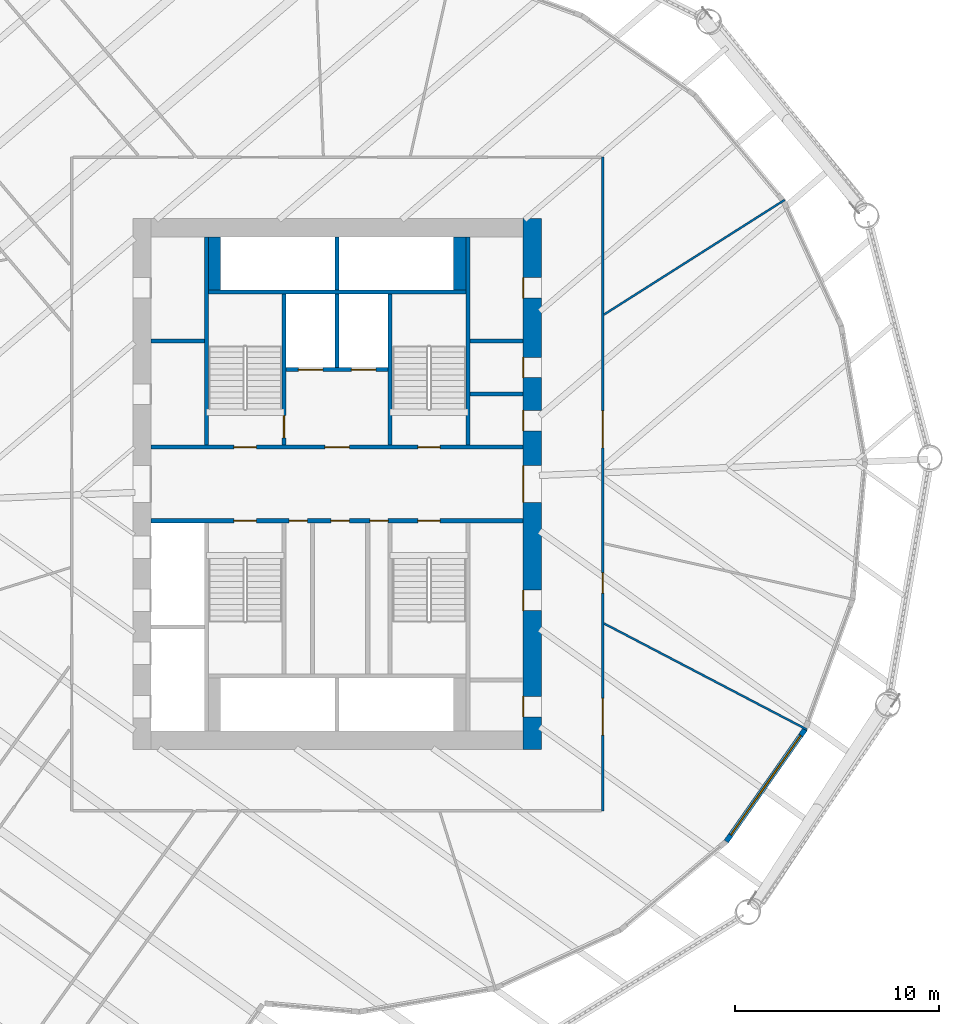
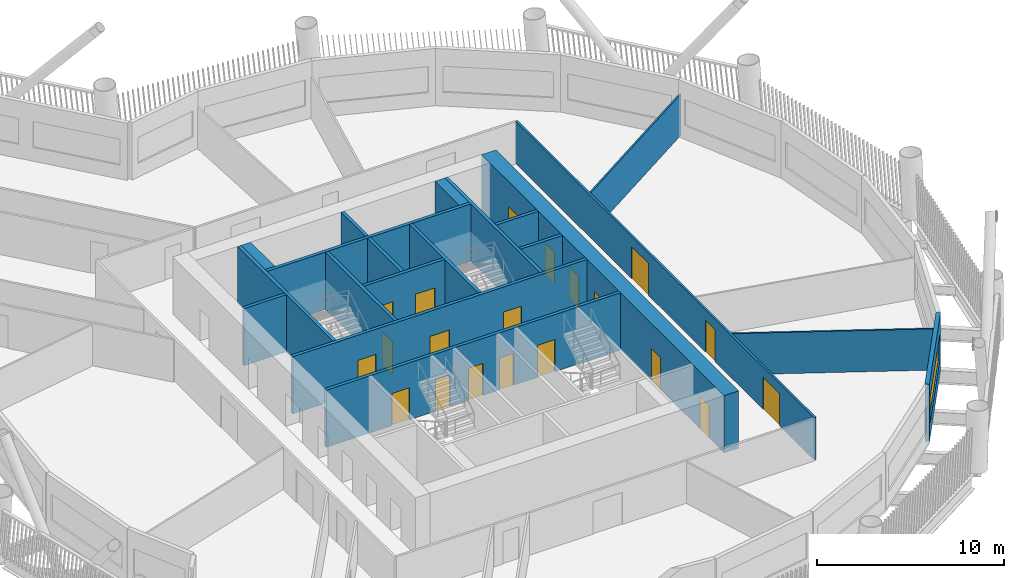
# One storey, part 5 of 21: 20 doors, 20 walls, 1 window, 21 openings.
"""IFC4 building model written with IfcOpenShell, lengths in metres."""

from ifc_helpers import new_model, si_unit, direction, frame, frame_2d, origin, place, context, subcontext, project, spatial, rectangle, extrude, material, layer, layer_set, type_object, element, fill, save


model = new_model("IFC4")

# Units and contexts
model_context = context("Model", 3, precision=1e-05, world=origin(), true_north=direction((0.0, 1.0)))
body_context = subcontext(model_context, "Body", "Model", "MODEL_VIEW")
ifc_project = project(units=[si_unit("LENGTHUNIT", "METRE"), si_unit("AREAUNIT", "SQUARE_METRE"), si_unit("VOLUMEUNIT", "CUBIC_METRE"), si_unit("PLANEANGLEUNIT", "RADIAN"), si_unit("MASSUNIT", "GRAM", prefix="KILO")], contexts=[model_context])

# Site, building, storey
site_placement = place(None, origin())
site = spatial("IfcSite", under=ifc_project, at=site_placement, CompositionType="ELEMENT")
building_placement = place(site_placement, origin())
building = spatial("IfcBuilding", under=site, at=building_placement, Name="Tarsis Ring Headquarters", CompositionType="ELEMENT")
storey_placement = place(building_placement, frame((0.0, 0.0, 47.800048828125)))
storey = spatial("IfcBuildingStorey", under=building, at=storey_placement, Name="L09", CompositionType="ELEMENT", Elevation=47.800048828125)

# Walls
ifc_material_1 = material(Name="Blockwork", Category="masonry")
ifc_layer_1 = layer(ifc_material_1, 0.199951171875)
ifc_layer_set_1 = layer_set([ifc_layer_1], Name="Core blockwork wall 200")
wall_type_1 = type_object("IfcWallType", Name="Core blockwork wall 200", PredefinedType="PARTITIONING", material=ifc_layer_set_1)
for number, where, z_axis, x_axis, name in (
    (1, (-9.10009765625, 7.0, 0.0), (0.0, 0.0, 1.0), (1.0, 0.0, 0.0), "Core partition WD6"),
    (2, (6.5, 4.39990234375, 0.0), (0.0, 0.0, 1.0), (1.0, 0.0, 0.0), "Core partition ED5"),
    (3, (6.5, 7.0, 0.0), (0.0, 0.0, 1.0), (1.0, 0.0, 0.0), "Core partition ED6"),
):
    element("IfcWall", number, at=place(storey_placement, frame(where, z_axis=z_axis, x_axis=x_axis)), inside=storey, type_object=wall_type_1, Name=name, PredefinedType="PARTITIONING", context=body_context, shape_type="SweptSolid", body=[
        extrude(rectangle(XDim=2.60009765625, YDim=0.199951171875, at=frame_2d((1.300048828125, 0.0))), origin(), (0.0, 0.0, 1.0), 3.739990234375),
    ])

# Wall, openings, doors
ifc_material_2 = material(Name="Concrete C60/75", Category="concrete")
ifc_layer_2 = layer(ifc_material_2, 0.89990234375)
ifc_layer_set_2 = layer_set([ifc_layer_2], Name="Core wall 900 C60/75")
wall_type_2 = type_object("IfcWallType", Name="Core wall 900 C60/75", PredefinedType="SHEAR", material=ifc_layer_set_2)
wall_1_placement = place(storey_placement, frame((9.550048828125, -13.0, 0.0), z_axis=(0.0, 0.0, 1.0), x_axis=(0.0, 1.0, 0.0)))
wall_1 = element("IfcWall", 4, at=wall_1_placement, inside=storey, type_object=wall_type_2, Name="Core wall OE", PredefinedType="SHEAR", context=body_context, shape_type="SweptSolid", body=[
    extrude(rectangle(XDim=26.0, YDim=0.89990234375, at=frame_2d((13.0, 0.0))), origin(), (0.0, 0.0, 1.0), 3.739990234375),
])
opening_1_placement = place(wall_1_placement, frame((1.60009765625, 0.0, 0.0)))
opening_1 = element("IfcOpeningElement", 5, at=opening_1_placement, cuts=wall_1, Name="Opening L09-C08", PredefinedType="OPENING", context=body_context, shape_type="SweptSolid", body=[
    extrude(rectangle(XDim=1.0, YDim=2.10009765625, at=frame_2d((0.5, 1.050048828125))), frame((0.0, 0.4599609375, 0.0), z_axis=(0.0, -1.0, 0.0), x_axis=(1.0, 0.0, 0.0)), (0.0, 0.0, 1.0), 0.919921875),
])
opening_2_placement = place(wall_1_placement, frame((6.800048828125, 0.0, 0.0)))
opening_2 = element("IfcOpeningElement", 6, at=opening_2_placement, cuts=wall_1, Name="Opening L09-C09", PredefinedType="OPENING", context=body_context, shape_type="SweptSolid", body=[
    extrude(rectangle(XDim=1.0, YDim=2.10009765625, at=frame_2d((0.5, 1.050048828125))), frame((0.0, 0.4599609375, 0.0), z_axis=(0.0, -1.0, 0.0), x_axis=(1.0, 0.0, 0.0)), (0.0, 0.0, 1.0), 0.919921875),
])
opening_3_placement = place(wall_1_placement, frame((12.10009765625, 0.0, 0.0)))
opening_3 = element("IfcOpeningElement", 7, at=opening_3_placement, cuts=wall_1, Name="Opening L09-C10", PredefinedType="OPENING", context=body_context, shape_type="SweptSolid", body=[
    extrude(rectangle(XDim=1.800048828125, YDim=2.10009765625, at=frame_2d((0.89990234375, 1.050048828125))), frame((0.0, 0.4599609375, 0.0), z_axis=(0.0, -1.0, 0.0), x_axis=(1.0, 0.0, 0.0)), (0.0, 0.0, 1.0), 0.919921875),
])
opening_4_placement = place(wall_1_placement, frame((15.60009765625, 0.0, 0.0)))
opening_4 = element("IfcOpeningElement", 8, at=opening_4_placement, cuts=wall_1, Name="Opening L09-C11", PredefinedType="OPENING", context=body_context, shape_type="SweptSolid", body=[
    extrude(rectangle(XDim=1.0, YDim=2.10009765625, at=frame_2d((0.5, 1.050048828125))), frame((0.0, 0.4599609375, 0.0), z_axis=(0.0, -1.0, 0.0), x_axis=(1.0, 0.0, 0.0)), (0.0, 0.0, 1.0), 0.919921875),
])
opening_5_placement = place(wall_1_placement, frame((18.199951171875, 0.0, 0.0)))
opening_5 = element("IfcOpeningElement", 9, at=opening_5_placement, cuts=wall_1, Name="Opening L09-C12", PredefinedType="OPENING", context=body_context, shape_type="SweptSolid", body=[
    extrude(rectangle(XDim=1.0, YDim=2.10009765625, at=frame_2d((0.5, 1.050048828125))), frame((0.0, 0.4599609375, 0.0), z_axis=(0.0, -1.0, 0.0), x_axis=(1.0, 0.0, 0.0)), (0.0, 0.0, 1.0), 0.919921875),
])
opening_6_placement = place(wall_1_placement, frame((22.10009765625, 0.0, 0.0)))
opening_6 = element("IfcOpeningElement", 10, at=opening_6_placement, cuts=wall_1, Name="Opening L09-C13", PredefinedType="OPENING", context=body_context, shape_type="SweptSolid", body=[
    extrude(rectangle(XDim=1.0, YDim=2.10009765625, at=frame_2d((0.5, 1.050048828125))), frame((0.0, 0.4599609375, 0.0), z_axis=(0.0, -1.0, 0.0), x_axis=(1.0, 0.0, 0.0)), (0.0, 0.0, 1.0), 0.919921875),
])
ifc_material_3 = material(Name="Steel S355", Category="steel")
door_type_1 = type_object("IfcDoorType", Name="Core entry door 1800x2100", OperationType="DOUBLE_DOOR_SINGLE_SWING", PredefinedType="DOOR", material=ifc_material_3)
door_1_placement = place(opening_3_placement, origin())
door_1 = element("IfcDoor", 11, at=door_1_placement, inside=storey, type_object=door_type_1, Name="Core entry door L09", OperationType="DOUBLE_DOOR_SINGLE_SWING", OverallHeight=2.10009765625, OverallWidth=1.800048828125, PredefinedType="DOOR", context=body_context, shape_type="SweptSolid", body=[
    extrude(rectangle(XDim=1.800048828125, YDim=2.10009765625, at=frame_2d((0.89990234375, 1.050048828125))), frame((0.0, 0.4501953125, 0.0), z_axis=(0.0, -1.0, 0.0), x_axis=(1.0, 0.0, 0.0)), (0.0, 0.0, 1.0), 0.050048828125),
])
fill(opening_3, door_1)
door_type_2 = type_object("IfcDoorType", Name="Core room door 1000x2100", OperationType="SINGLE_SWING_LEFT", PredefinedType="DOOR", material=ifc_material_3)
door_2_placement = place(opening_1_placement, origin())
door_2 = element("IfcDoor", 12, at=door_2_placement, inside=storey, type_object=door_type_2, Name="Core room door L09", OperationType="SINGLE_SWING_LEFT", OverallHeight=2.10009765625, OverallWidth=1.0, PredefinedType="DOOR", context=body_context, shape_type="SweptSolid", body=[
    extrude(rectangle(XDim=1.0, YDim=2.10009765625, at=frame_2d((0.5, 1.050048828125))), frame((0.0, 0.4501953125, 0.0), z_axis=(0.0, -1.0, 0.0), x_axis=(1.0, 0.0, 0.0)), (0.0, 0.0, 1.0), 0.050048828125),
])
fill(opening_1, door_2)
door_3_placement = place(opening_2_placement, origin())
door_3 = element("IfcDoor", 13, at=door_3_placement, inside=storey, type_object=door_type_2, Name="Core room door L09", OperationType="SINGLE_SWING_LEFT", OverallHeight=2.10009765625, OverallWidth=1.0, PredefinedType="DOOR", context=body_context, shape_type="SweptSolid", body=[
    extrude(rectangle(XDim=1.0, YDim=2.10009765625, at=frame_2d((0.5, 1.050048828125))), frame((0.0, 0.4501953125, 0.0), z_axis=(0.0, -1.0, 0.0), x_axis=(1.0, 0.0, 0.0)), (0.0, 0.0, 1.0), 0.050048828125),
])
fill(opening_2, door_3)
door_4_placement = place(opening_4_placement, origin())
door_4 = element("IfcDoor", 14, at=door_4_placement, inside=storey, type_object=door_type_2, Name="Core room door L09", OperationType="SINGLE_SWING_LEFT", OverallHeight=2.10009765625, OverallWidth=1.0, PredefinedType="DOOR", context=body_context, shape_type="SweptSolid", body=[
    extrude(rectangle(XDim=1.0, YDim=2.10009765625, at=frame_2d((0.5, 1.050048828125))), frame((0.0, 0.4501953125, 0.0), z_axis=(0.0, -1.0, 0.0), x_axis=(1.0, 0.0, 0.0)), (0.0, 0.0, 1.0), 0.050048828125),
])
fill(opening_4, door_4)
door_5_placement = place(opening_5_placement, origin())
door_5 = element("IfcDoor", 15, at=door_5_placement, inside=storey, type_object=door_type_2, Name="Core room door L09", OperationType="SINGLE_SWING_LEFT", OverallHeight=2.10009765625, OverallWidth=1.0, PredefinedType="DOOR", context=body_context, shape_type="SweptSolid", body=[
    extrude(rectangle(XDim=1.0, YDim=2.10009765625, at=frame_2d((0.5, 1.050048828125))), frame((0.0, 0.4501953125, 0.0), z_axis=(0.0, -1.0, 0.0), x_axis=(1.0, 0.0, 0.0)), (0.0, 0.0, 1.0), 0.050048828125),
])
fill(opening_5, door_5)
door_6_placement = place(opening_6_placement, origin())
door_6 = element("IfcDoor", 16, at=door_6_placement, inside=storey, type_object=door_type_2, Name="Core room door L09", OperationType="SINGLE_SWING_LEFT", OverallHeight=2.10009765625, OverallWidth=1.0, PredefinedType="DOOR", context=body_context, shape_type="SweptSolid", body=[
    extrude(rectangle(XDim=1.0, YDim=2.10009765625, at=frame_2d((0.5, 1.050048828125))), frame((0.0, 0.4501953125, 0.0), z_axis=(0.0, -1.0, 0.0), x_axis=(1.0, 0.0, 0.0)), (0.0, 0.0, 1.0), 0.050048828125),
])
fill(opening_6, door_6)

# Walls
ifc_material_4 = material(Name="Gypsum board on steel studs", Category="steel")
ifc_layer_3 = layer(ifc_material_4, 0.10009765625)
ifc_layer_set_3 = layer_set([ifc_layer_3], Name="FL partition 100 unrated")
wall_type_3 = type_object("IfcWallType", Name="FL partition 100 unrated", PredefinedType="PARTITIONING", material=ifc_layer_set_3)
wall_2_placement = place(storey_placement, frame((13.079833984375, -6.837890625, 0.0), z_axis=(0.0, 0.0, 1.0), x_axis=(0.886203250473, -0.463296663976, 0.0)))
element("IfcWall", 17, at=wall_2_placement, inside=storey, type_object=wall_type_3, Name="Partition PW3", PredefinedType="PARTITIONING", context=body_context, shape_type="SweptSolid", body=[
    extrude(rectangle(XDim=11.1884765625, YDim=0.10009765625, at=frame_2d((5.59423828125, 0.0))), origin(), (0.0, 0.0, 1.0), 2.699951171875),
])
wall_3_placement = place(storey_placement, frame((13.075927734375, 8.29833984375, 0.0), z_axis=(0.0, 0.0, 1.0), x_axis=(0.84433063847, 0.535822520002, 0.0)))
element("IfcWall", 18, at=wall_3_placement, inside=storey, type_object=wall_type_3, Name="Partition PW3", PredefinedType="PARTITIONING", context=body_context, shape_type="SweptSolid", body=[
    extrude(rectangle(XDim=10.4609375, YDim=0.10009765625, at=frame_2d((5.23046875, 0.0))), origin(), (0.0, 0.0, 1.0), 2.699951171875),
])

# Wall, openings, doors
ifc_layer_4 = layer(ifc_material_4, 0.125)
ifc_layer_set_4 = layer_set([ifc_layer_4], Name="FL partition 125 EI 60 H2770")
wall_type_4 = type_object("IfcWallType", Name="FL partition 125 EI 60 H2770", PredefinedType="PARTITIONING", material=ifc_layer_set_4)
wall_4_placement = place(storey_placement, frame((13.0, -16.0, 0.0), z_axis=(0.0, 0.0, 1.0), x_axis=(0.0, 1.0, 0.0)))
wall_4 = element("IfcWall", 19, at=wall_4_placement, inside=storey, type_object=wall_type_4, Name="Partition PW1", PredefinedType="PARTITIONING", context=body_context, shape_type="SweptSolid", body=[
    extrude(rectangle(XDim=32.0, YDim=0.125, at=frame_2d((16.0, 0.0))), origin(), (0.0, 0.0, 1.0), 2.77001953125),
])
opening_7_placement = place(wall_4_placement, frame((17.772216796875, 0.0, 0.0)))
opening_7 = element("IfcOpeningElement", 20, at=opening_7_placement, cuts=wall_4, Name="Opening D09.06", PredefinedType="OPENING", context=body_context, shape_type="SweptSolid", body=[
    extrude(rectangle(XDim=1.800048828125, YDim=2.10009765625, at=frame_2d((0.89990234375, 1.050048828125))), frame((0.0, 0.072509765625, 0.0), z_axis=(0.0, -1.0, 0.0), x_axis=(1.0, 0.0, 0.0)), (0.0, 0.0, 1.0), 0.14501953125),
])
opening_8_placement = place(wall_4_placement, frame((10.64892578125, 0.0, 0.0)))
opening_8 = element("IfcOpeningElement", 21, at=opening_8_placement, cuts=wall_4, Name="Opening D09.07", PredefinedType="OPENING", context=body_context, shape_type="SweptSolid", body=[
    extrude(rectangle(XDim=1.0, YDim=2.10009765625, at=frame_2d((0.5, 1.050048828125))), frame((0.0, 0.072509765625, 0.0), z_axis=(0.0, -1.0, 0.0), x_axis=(1.0, 0.0, 0.0)), (0.0, 0.0, 1.0), 0.14501953125),
])
opening_9_placement = place(wall_4_placement, frame((3.701904296875, 0.0, 0.0)))
opening_9 = element("IfcOpeningElement", 22, at=opening_9_placement, cuts=wall_4, Name="Opening D09.08", PredefinedType="OPENING", context=body_context, shape_type="SweptSolid", body=[
    extrude(rectangle(XDim=1.800048828125, YDim=2.10009765625, at=frame_2d((0.89990234375, 1.050048828125))), frame((0.0, 0.072509765625, 0.0), z_axis=(0.0, -1.0, 0.0), x_axis=(1.0, 0.0, 0.0)), (0.0, 0.0, 1.0), 0.14501953125),
])
ifc_material_5 = material(Name="Fire-rated timber door leaf in steel frame", Category="steel")
door_type_3 = type_object("IfcDoorType", Name="FL door FD60-1000", OperationType="NOTDEFINED", PredefinedType="DOOR", material=ifc_material_5)
door_7_placement = place(opening_8_placement, origin())
door_7 = element("IfcDoor", 23, at=door_7_placement, inside=storey, type_object=door_type_3, Name="Door D09.07", OperationType="SINGLE_SWING_RIGHT", OverallHeight=2.10009765625, OverallWidth=1.0, PredefinedType="DOOR", context=body_context, shape_type="SweptSolid", body=[
    extrude(rectangle(XDim=1.0, YDim=2.10009765625, at=frame_2d((0.5, 1.050048828125))), frame((0.0, 0.02490234375, 0.0), z_axis=(0.0, -1.0, 0.0), x_axis=(1.0, 0.0, 0.0)), (0.0, 0.0, 1.0), 0.050048828125),
])
fill(opening_8, door_7)
door_type_4 = type_object("IfcDoorType", Name="FL door FD60-1800", OperationType="DOUBLE_DOOR_SINGLE_SWING", PredefinedType="DOOR", material=ifc_material_5)
door_8_placement = place(opening_7_placement, origin())
door_8 = element("IfcDoor", 24, at=door_8_placement, inside=storey, type_object=door_type_4, Name="Door D09.06", OperationType="DOUBLE_DOOR_SINGLE_SWING", OverallHeight=2.10009765625, OverallWidth=1.800048828125, PredefinedType="DOOR", context=body_context, shape_type="SweptSolid", body=[
    extrude(rectangle(XDim=1.800048828125, YDim=2.10009765625, at=frame_2d((0.89990234375, 1.050048828125))), frame((0.0, 0.02490234375, 0.0), z_axis=(0.0, -1.0, 0.0), x_axis=(1.0, 0.0, 0.0)), (0.0, 0.0, 1.0), 0.050048828125),
])
fill(opening_7, door_8)
door_9_placement = place(opening_9_placement, origin())
door_9 = element("IfcDoor", 25, at=door_9_placement, inside=storey, type_object=door_type_4, Name="Door D09.08", OperationType="DOUBLE_DOOR_SINGLE_SWING", OverallHeight=2.10009765625, OverallWidth=1.800048828125, PredefinedType="DOOR", context=body_context, shape_type="SweptSolid", body=[
    extrude(rectangle(XDim=1.800048828125, YDim=2.10009765625, at=frame_2d((0.89990234375, 1.050048828125))), frame((0.0, 0.02490234375, 0.0), z_axis=(0.0, -1.0, 0.0), x_axis=(1.0, 0.0, 0.0)), (0.0, 0.0, 1.0), 0.050048828125),
])
fill(opening_9, door_9)

# Wall, opening, window
ifc_material_6 = material(Name="Terracotta clad insulated panel wall", Category="masonry")
ifc_layer_5 = layer(ifc_material_6, 0.25)
ifc_layer_set_5 = layer_set([ifc_layer_5], Name="Facade wall terracotta panel 250")
wall_type_5 = type_object("IfcWallType", Name="Facade wall terracotta panel 250", PredefinedType="STANDARD", material=ifc_layer_set_5)
wall_5_placement = place(storey_placement, frame((19.05517578125, -17.5, 0.0), z_axis=(0.0, 0.0, 1.0), x_axis=(0.575009260043, 0.818146900541, 0.0)))
wall_5 = element("IfcWall", 26, at=wall_5_placement, inside=storey, type_object=wall_type_5, Name="External wall L09-21", PredefinedType="STANDARD", context=body_context, shape_type="SweptSolid", body=[
    extrude(rectangle(XDim=6.7216796875, YDim=0.25, at=frame_2d((3.36083984375, 0.0))), origin(), (0.0, 0.0, 1.0), 3.739990234375),
])
opening_10_placement = place(wall_5_placement, frame((0.3857421875, 0.0, 0.89990234375)))
opening_10 = element("IfcOpeningElement", 27, at=opening_10_placement, cuts=wall_5, Name="Opening WN07", PredefinedType="OPENING", context=body_context, shape_type="SweptSolid", body=[
    extrude(rectangle(XDim=5.949951171875, YDim=1.699951171875, at=frame_2d((2.97509765625, 0.85009765625))), frame((0.0, 0.135009765625, 0.0), z_axis=(0.0, -1.0, 0.0), x_axis=(1.0, 0.0, 0.0)), (0.0, 0.0, 1.0), 0.27001953125),
])
ifc_material_7 = material(Name="Aluminium framed double glazing", Category="aluminium")
window_type = type_object("IfcWindowType", Name="Facade window 5950 x 1700", PartitioningType="SINGLE_PANEL", PredefinedType="WINDOW", material=ifc_material_7)
window_placement = place(opening_10_placement, origin())
window = element("IfcWindow", 28, at=window_placement, inside=storey, type_object=window_type, Name="Window L09-21.1", OverallHeight=1.699951171875, OverallWidth=5.949951171875, PartitioningType="SINGLE_PANEL", PredefinedType="WINDOW", context=body_context, shape_type="SweptSolid", body=[
    extrude(rectangle(XDim=5.949951171875, YDim=1.699951171875, at=frame_2d((2.97509765625, 0.85009765625))), frame((0.0, 0.030029296875, 0.0), z_axis=(0.0, -1.0, 0.0), x_axis=(1.0, 0.0, 0.0)), (0.0, 0.0, 1.0), 0.06005859375),
])
fill(opening_10, window)

# Walls
ifc_material_8 = material(Name="Concrete C32/40", Category="concrete")
ifc_layer_6 = layer(ifc_material_8, 0.60009765625)
ifc_layer_set_6 = layer_set([ifc_layer_6], Name="Shaft end wall 600 C32/40")
wall_type_6 = type_object("IfcWallType", Name="Shaft end wall 600 C32/40", PredefinedType="SOLIDWALL", material=ifc_layer_set_6)
for number, where, z_axis, x_axis, name in (
    (29, (-6.0, 9.5, 0.0), (0.0, 0.0, 1.0), (0.0, 1.0, 0.0), "Core shaft wall NNE1"),
    (30, (6.0, 9.5, 0.0), (0.0, 0.0, 1.0), (0.0, 1.0, 0.0), "Core shaft wall NNE2"),
):
    element("IfcWall", number, at=place(storey_placement, frame(where, z_axis=z_axis, x_axis=x_axis)), inside=storey, type_object=wall_type_6, Name=name, PredefinedType="SOLIDWALL", context=body_context, shape_type="SweptSolid", body=[
        extrude(rectangle(XDim=2.60009765625, YDim=0.60009765625, at=frame_2d((1.300048828125, 0.0))), origin(), (0.0, 0.0, 1.0), 3.739990234375),
    ])

# Wall, openings, doors
ifc_layer_7 = layer(ifc_material_8, 0.199951171875)
ifc_layer_set_7 = layer_set([ifc_layer_7], Name="Shaft wall 200 C32/40")
wall_type_7 = type_object("IfcWallType", Name="Shaft wall 200 C32/40", PredefinedType="SOLIDWALL", material=ifc_layer_set_7)
wall_6_placement = place(storey_placement, frame((-9.10009765625, 1.800048828125, 0.0), z_axis=(0.0, 0.0, 1.0), x_axis=(1.0, 0.0, 0.0)))
wall_6 = element("IfcWall", 31, at=wall_6_placement, inside=storey, type_object=wall_type_7, Name="Core shaft wall CN", PredefinedType="SOLIDWALL", context=body_context, shape_type="SweptSolid", body=[
    extrude(rectangle(XDim=18.2001953125, YDim=0.199951171875, at=frame_2d((9.10009765625, 0.0))), origin(), (0.0, 0.0, 1.0), 3.739990234375),
])
opening_11_placement = place(wall_6_placement, frame((4.050048828125, 0.0, 0.0)))
opening_11 = element("IfcOpeningElement", 32, at=opening_11_placement, cuts=wall_6, Name="Opening L09-C14", PredefinedType="OPENING", context=body_context, shape_type="SweptSolid", body=[
    extrude(rectangle(XDim=1.10009765625, YDim=2.10009765625, at=frame_2d((0.550048828125, 1.050048828125))), frame((0.0, 0.10986328125, 0.0), z_axis=(0.0, -1.0, 0.0), x_axis=(1.0, 0.0, 0.0)), (0.0, 0.0, 1.0), 0.219970703125),
])
opening_12_placement = place(wall_6_placement, frame((8.5, 0.0, 0.0)))
opening_12 = element("IfcOpeningElement", 33, at=opening_12_placement, cuts=wall_6, Name="Opening L09-C15", PredefinedType="OPENING", context=body_context, shape_type="SweptSolid", body=[
    extrude(rectangle(XDim=1.199951171875, YDim=2.10009765625, at=frame_2d((0.60009765625, 1.050048828125))), frame((0.0, 0.10986328125, 0.0), z_axis=(0.0, -1.0, 0.0), x_axis=(1.0, 0.0, 0.0)), (0.0, 0.0, 1.0), 0.219970703125),
])
opening_13_placement = place(wall_6_placement, frame((13.050048828125, 0.0, 0.0)))
opening_13 = element("IfcOpeningElement", 34, at=opening_13_placement, cuts=wall_6, Name="Opening L09-C16", PredefinedType="OPENING", context=body_context, shape_type="SweptSolid", body=[
    extrude(rectangle(XDim=1.10009765625, YDim=2.10009765625, at=frame_2d((0.550048828125, 1.050048828125))), frame((0.0, 0.10986328125, 0.0), z_axis=(0.0, -1.0, 0.0), x_axis=(1.0, 0.0, 0.0)), (0.0, 0.0, 1.0), 0.219970703125),
])
door_type_5 = type_object("IfcDoorType", Name="Firefighting lobby door 1200x2100", OperationType="DOUBLE_DOOR_SINGLE_SWING", PredefinedType="DOOR", material=ifc_material_3)
door_10_placement = place(opening_12_placement, origin())
door_10 = element("IfcDoor", 35, at=door_10_placement, inside=storey, type_object=door_type_5, Name="Firefighting lobby door L09", OperationType="DOUBLE_DOOR_SINGLE_SWING", OverallHeight=2.10009765625, OverallWidth=1.199951171875, PredefinedType="DOOR", context=body_context, shape_type="SweptSolid", body=[
    extrude(rectangle(XDim=1.199951171875, YDim=2.10009765625, at=frame_2d((0.60009765625, 1.050048828125))), frame((0.0, 0.02490234375, 0.0), z_axis=(0.0, -1.0, 0.0), x_axis=(1.0, 0.0, 0.0)), (0.0, 0.0, 1.0), 0.050048828125),
])
fill(opening_12, door_10)
door_type_6 = type_object("IfcDoorType", Name="Stair door 1100x2100", OperationType="SINGLE_SWING_LEFT", PredefinedType="DOOR", material=ifc_material_3)
door_11_placement = place(opening_11_placement, origin())
door_11 = element("IfcDoor", 36, at=door_11_placement, inside=storey, type_object=door_type_6, Name="Stair door L09", OperationType="SINGLE_SWING_LEFT", OverallHeight=2.10009765625, OverallWidth=1.10009765625, PredefinedType="DOOR", context=body_context, shape_type="SweptSolid", body=[
    extrude(rectangle(XDim=1.10009765625, YDim=2.10009765625, at=frame_2d((0.550048828125, 1.050048828125))), frame((0.0, 0.02490234375, 0.0), z_axis=(0.0, -1.0, 0.0), x_axis=(1.0, 0.0, 0.0)), (0.0, 0.0, 1.0), 0.050048828125),
])
fill(opening_11, door_11)
door_12_placement = place(opening_13_placement, origin())
door_12 = element("IfcDoor", 37, at=door_12_placement, inside=storey, type_object=door_type_6, Name="Stair door L09", OperationType="SINGLE_SWING_LEFT", OverallHeight=2.10009765625, OverallWidth=1.10009765625, PredefinedType="DOOR", context=body_context, shape_type="SweptSolid", body=[
    extrude(rectangle(XDim=1.10009765625, YDim=2.10009765625, at=frame_2d((0.550048828125, 1.050048828125))), frame((0.0, 0.02490234375, 0.0), z_axis=(0.0, -1.0, 0.0), x_axis=(1.0, 0.0, 0.0)), (0.0, 0.0, 1.0), 0.050048828125),
])
fill(opening_13, door_12)

wall_7_placement = place(storey_placement, frame((-9.10009765625, -1.800048828125, 0.0), z_axis=(0.0, 0.0, 1.0), x_axis=(1.0, 0.0, 0.0)))
wall_7 = element("IfcWall", 38, at=wall_7_placement, inside=storey, type_object=wall_type_7, Name="Core shaft wall CS", PredefinedType="SOLIDWALL", context=body_context, shape_type="SweptSolid", body=[
    extrude(rectangle(XDim=18.2001953125, YDim=0.199951171875, at=frame_2d((9.10009765625, 0.0))), origin(), (0.0, 0.0, 1.0), 3.739990234375),
])
opening_14_placement = place(wall_7_placement, frame((4.050048828125, 0.0, 0.0)))
opening_14 = element("IfcOpeningElement", 39, at=opening_14_placement, cuts=wall_7, Name="Opening L09-C17", PredefinedType="OPENING", context=body_context, shape_type="SweptSolid", body=[
    extrude(rectangle(XDim=1.10009765625, YDim=2.10009765625, at=frame_2d((0.550048828125, 1.050048828125))), frame((0.0, 0.10986328125, 0.0), z_axis=(0.0, -1.0, 0.0), x_axis=(1.0, 0.0, 0.0)), (0.0, 0.0, 1.0), 0.219970703125),
])
opening_15_placement = place(wall_7_placement, frame((6.75, 0.0, 0.0)))
opening_15 = element("IfcOpeningElement", 40, at=opening_15_placement, cuts=wall_7, Name="Opening L09-C18", PredefinedType="OPENING", context=body_context, shape_type="SweptSolid", body=[
    extrude(rectangle(XDim=0.89990234375, YDim=2.10009765625, at=frame_2d((0.449951171875, 1.050048828125))), frame((0.0, 0.10986328125, 0.0), z_axis=(0.0, -1.0, 0.0), x_axis=(1.0, 0.0, 0.0)), (0.0, 0.0, 1.0), 0.219970703125),
])
opening_16_placement = place(wall_7_placement, frame((8.800048828125, 0.0, 0.0)))
opening_16 = element("IfcOpeningElement", 41, at=opening_16_placement, cuts=wall_7, Name="Opening L09-C19", PredefinedType="OPENING", context=body_context, shape_type="SweptSolid", body=[
    extrude(rectangle(XDim=0.89990234375, YDim=2.10009765625, at=frame_2d((0.449951171875, 1.050048828125))), frame((0.0, 0.10986328125, 0.0), z_axis=(0.0, -1.0, 0.0), x_axis=(1.0, 0.0, 0.0)), (0.0, 0.0, 1.0), 0.219970703125),
])
opening_17_placement = place(wall_7_placement, frame((10.699951171875, 0.0, 0.0)))
opening_17 = element("IfcOpeningElement", 42, at=opening_17_placement, cuts=wall_7, Name="Opening L09-C20", PredefinedType="OPENING", context=body_context, shape_type="SweptSolid", body=[
    extrude(rectangle(XDim=0.89990234375, YDim=2.10009765625, at=frame_2d((0.449951171875, 1.050048828125))), frame((0.0, 0.10986328125, 0.0), z_axis=(0.0, -1.0, 0.0), x_axis=(1.0, 0.0, 0.0)), (0.0, 0.0, 1.0), 0.219970703125),
])
opening_18_placement = place(wall_7_placement, frame((13.050048828125, 0.0, 0.0)))
opening_18 = element("IfcOpeningElement", 43, at=opening_18_placement, cuts=wall_7, Name="Opening L09-C21", PredefinedType="OPENING", context=body_context, shape_type="SweptSolid", body=[
    extrude(rectangle(XDim=1.10009765625, YDim=2.10009765625, at=frame_2d((0.550048828125, 1.050048828125))), frame((0.0, 0.10986328125, 0.0), z_axis=(0.0, -1.0, 0.0), x_axis=(1.0, 0.0, 0.0)), (0.0, 0.0, 1.0), 0.219970703125),
])
door_13_placement = place(opening_14_placement, origin())
door_13 = element("IfcDoor", 44, at=door_13_placement, inside=storey, type_object=door_type_6, Name="Stair door L09", OperationType="SINGLE_SWING_LEFT", OverallHeight=2.10009765625, OverallWidth=1.10009765625, PredefinedType="DOOR", context=body_context, shape_type="SweptSolid", body=[
    extrude(rectangle(XDim=1.10009765625, YDim=2.10009765625, at=frame_2d((0.550048828125, 1.050048828125))), frame((0.0, 0.02490234375, 0.0), z_axis=(0.0, -1.0, 0.0), x_axis=(1.0, 0.0, 0.0)), (0.0, 0.0, 1.0), 0.050048828125),
])
fill(opening_14, door_13)
door_14_placement = place(opening_18_placement, origin())
door_14 = element("IfcDoor", 45, at=door_14_placement, inside=storey, type_object=door_type_6, Name="Stair door L09", OperationType="SINGLE_SWING_LEFT", OverallHeight=2.10009765625, OverallWidth=1.10009765625, PredefinedType="DOOR", context=body_context, shape_type="SweptSolid", body=[
    extrude(rectangle(XDim=1.10009765625, YDim=2.10009765625, at=frame_2d((0.550048828125, 1.050048828125))), frame((0.0, 0.02490234375, 0.0), z_axis=(0.0, -1.0, 0.0), x_axis=(1.0, 0.0, 0.0)), (0.0, 0.0, 1.0), 0.050048828125),
])
fill(opening_18, door_14)
door_type_7 = type_object("IfcDoorType", Name="WC door 900x2100", OperationType="SINGLE_SWING_LEFT", PredefinedType="DOOR", material=ifc_material_3)
door_15_placement = place(opening_15_placement, origin())
door_15 = element("IfcDoor", 46, at=door_15_placement, inside=storey, type_object=door_type_7, Name="WC door L09", OperationType="SINGLE_SWING_LEFT", OverallHeight=2.10009765625, OverallWidth=0.89990234375, PredefinedType="DOOR", context=body_context, shape_type="SweptSolid", body=[
    extrude(rectangle(XDim=0.89990234375, YDim=2.10009765625, at=frame_2d((0.449951171875, 1.050048828125))), frame((0.0, 0.02490234375, 0.0), z_axis=(0.0, -1.0, 0.0), x_axis=(1.0, 0.0, 0.0)), (0.0, 0.0, 1.0), 0.050048828125),
])
fill(opening_15, door_15)
door_16_placement = place(opening_16_placement, origin())
door_16 = element("IfcDoor", 47, at=door_16_placement, inside=storey, type_object=door_type_7, Name="WC door L09", OperationType="SINGLE_SWING_LEFT", OverallHeight=2.10009765625, OverallWidth=0.89990234375, PredefinedType="DOOR", context=body_context, shape_type="SweptSolid", body=[
    extrude(rectangle(XDim=0.89990234375, YDim=2.10009765625, at=frame_2d((0.449951171875, 1.050048828125))), frame((0.0, 0.02490234375, 0.0), z_axis=(0.0, -1.0, 0.0), x_axis=(1.0, 0.0, 0.0)), (0.0, 0.0, 1.0), 0.050048828125),
])
fill(opening_16, door_16)
door_17_placement = place(opening_17_placement, origin())
door_17 = element("IfcDoor", 48, at=door_17_placement, inside=storey, type_object=door_type_7, Name="WC door L09", OperationType="SINGLE_SWING_LEFT", OverallHeight=2.10009765625, OverallWidth=0.89990234375, PredefinedType="DOOR", context=body_context, shape_type="SweptSolid", body=[
    extrude(rectangle(XDim=0.89990234375, YDim=2.10009765625, at=frame_2d((0.449951171875, 1.050048828125))), frame((0.0, 0.02490234375, 0.0), z_axis=(0.0, -1.0, 0.0), x_axis=(1.0, 0.0, 0.0)), (0.0, 0.0, 1.0), 0.050048828125),
])
fill(opening_17, door_17)

# Walls
for number, where, z_axis, x_axis, name in (
    (49, (-6.39990234375, 1.89990234375, 0.0), (0.0, 0.0, 1.0), (0.0, 1.0, 0.0), "Core shaft wall WB2"),
    (50, (6.39990234375, 1.89990234375, 0.0), (0.0, 0.0, 1.0), (0.0, 1.0, 0.0), "Core shaft wall EB2"),
):
    element("IfcWall", number, at=place(storey_placement, frame(where, z_axis=z_axis, x_axis=x_axis)), inside=storey, type_object=wall_type_7, Name=name, PredefinedType="SOLIDWALL", context=body_context, shape_type="SweptSolid", body=[
        extrude(rectangle(XDim=10.2001953125, YDim=0.199951171875, at=frame_2d((5.10009765625, 0.0))), origin(), (0.0, 0.0, 1.0), 3.739990234375),
    ])
wall_8_placement = place(storey_placement, frame((-6.300048828125, 9.39990234375, 0.0), z_axis=(0.0, 0.0, 1.0), x_axis=(1.0, 0.0, 0.0)))
element("IfcWall", 51, at=wall_8_placement, inside=storey, type_object=wall_type_7, Name="Core shaft wall NB", PredefinedType="SOLIDWALL", context=body_context, shape_type="SweptSolid", body=[
    extrude(rectangle(XDim=12.60009765625, YDim=0.199951171875, at=frame_2d((6.300048828125, 0.0))), origin(), (0.0, 0.0, 1.0), 3.739990234375),
])

# Wall, opening, door
wall_9_placement = place(storey_placement, frame((-2.60009765625, 1.89990234375, 0.0), z_axis=(0.0, 0.0, 1.0), x_axis=(0.0, 1.0, 0.0)))
wall_9 = element("IfcWall", 52, at=wall_9_placement, inside=storey, type_object=wall_type_7, Name="Core shaft wall SW1", PredefinedType="SOLIDWALL", context=body_context, shape_type="SweptSolid", body=[
    extrude(rectangle(XDim=7.400146484375, YDim=0.199951171875, at=frame_2d((3.7001953125, 0.0))), origin(), (0.0, 0.0, 1.0), 3.739990234375),
])
opening_19_placement = place(wall_9_placement, frame((0.35009765625, 0.0, 0.0)))
opening_19 = element("IfcOpeningElement", 53, at=opening_19_placement, cuts=wall_9, Name="Opening L09-C22", PredefinedType="OPENING", context=body_context, shape_type="SweptSolid", body=[
    extrude(rectangle(XDim=1.10009765625, YDim=2.10009765625, at=frame_2d((0.550048828125, 1.050048828125))), frame((0.0, 0.10986328125, 0.0), z_axis=(0.0, -1.0, 0.0), x_axis=(1.0, 0.0, 0.0)), (0.0, 0.0, 1.0), 0.219970703125),
])
door_18_placement = place(opening_19_placement, origin())
door_18 = element("IfcDoor", 54, at=door_18_placement, inside=storey, type_object=door_type_6, Name="Stair door L09", OperationType="SINGLE_SWING_LEFT", OverallHeight=2.10009765625, OverallWidth=1.10009765625, PredefinedType="DOOR", context=body_context, shape_type="SweptSolid", body=[
    extrude(rectangle(XDim=1.10009765625, YDim=2.10009765625, at=frame_2d((0.550048828125, 1.050048828125))), frame((0.0, 0.02490234375, 0.0), z_axis=(0.0, -1.0, 0.0), x_axis=(1.0, 0.0, 0.0)), (0.0, 0.0, 1.0), 0.050048828125),
])
fill(opening_19, door_18)

# Wall
wall_10_placement = place(storey_placement, frame((2.60009765625, 1.89990234375, 0.0), z_axis=(0.0, 0.0, 1.0), x_axis=(0.0, 1.0, 0.0)))
element("IfcWall", 55, at=wall_10_placement, inside=storey, type_object=wall_type_7, Name="Core shaft wall SW2", PredefinedType="SOLIDWALL", context=body_context, shape_type="SweptSolid", body=[
    extrude(rectangle(XDim=7.400146484375, YDim=0.199951171875, at=frame_2d((3.7001953125, 0.0))), origin(), (0.0, 0.0, 1.0), 3.739990234375),
])

# Wall, openings, doors
wall_11_placement = place(storey_placement, frame((-2.5, 5.60009765625, 0.0), z_axis=(0.0, 0.0, 1.0), x_axis=(1.0, 0.0, 0.0)))
wall_11 = element("IfcWall", 56, at=wall_11_placement, inside=storey, type_object=wall_type_7, Name="Core shaft wall FFN", PredefinedType="SOLIDWALL", context=body_context, shape_type="SweptSolid", body=[
    extrude(rectangle(XDim=5.0, YDim=0.199951171875, at=frame_2d((2.5, 0.0))), origin(), (0.0, 0.0, 1.0), 3.739990234375),
])
opening_20_placement = place(wall_11_placement, frame((0.60009765625, 0.0, 0.0)))
opening_20 = element("IfcOpeningElement", 57, at=opening_20_placement, cuts=wall_11, Name="Opening LDF-1", PredefinedType="OPENING", context=body_context, shape_type="SweptSolid", body=[
    extrude(rectangle(XDim=1.199951171875, YDim=2.10009765625, at=frame_2d((0.60009765625, 1.050048828125))), frame((0.0, 0.10986328125, 0.0), z_axis=(0.0, -1.0, 0.0), x_axis=(1.0, 0.0, 0.0)), (0.0, 0.0, 1.0), 0.219970703125),
])
opening_21_placement = place(wall_11_placement, frame((3.199951171875, 0.0, 0.0)))
opening_21 = element("IfcOpeningElement", 58, at=opening_21_placement, cuts=wall_11, Name="Opening LDF-2", PredefinedType="OPENING", context=body_context, shape_type="SweptSolid", body=[
    extrude(rectangle(XDim=1.199951171875, YDim=2.10009765625, at=frame_2d((0.60009765625, 1.050048828125))), frame((0.0, 0.10986328125, 0.0), z_axis=(0.0, -1.0, 0.0), x_axis=(1.0, 0.0, 0.0)), (0.0, 0.0, 1.0), 0.219970703125),
])
door_type_8 = type_object("IfcDoorType", Name="Firefighting landing door 1200x2100", OperationType="SLIDING_TO_LEFT", PredefinedType="DOOR", material=ifc_material_3)
door_19_placement = place(opening_20_placement, origin())
door_19 = element("IfcDoor", 59, at=door_19_placement, inside=storey, type_object=door_type_8, Name="Landing door FF1 L09", OperationType="SLIDING_TO_LEFT", OverallHeight=2.10009765625, OverallWidth=1.199951171875, PredefinedType="DOOR", context=body_context, shape_type="SweptSolid", body=[
    extrude(rectangle(XDim=1.199951171875, YDim=2.10009765625, at=frame_2d((0.60009765625, 1.050048828125))), frame((0.0, 0.02490234375, 0.0), z_axis=(0.0, -1.0, 0.0), x_axis=(1.0, 0.0, 0.0)), (0.0, 0.0, 1.0), 0.050048828125),
])
fill(opening_20, door_19)
door_20_placement = place(opening_21_placement, origin())
door_20 = element("IfcDoor", 60, at=door_20_placement, inside=storey, type_object=door_type_8, Name="Landing door FF2 L09", OperationType="SLIDING_TO_LEFT", OverallHeight=2.10009765625, OverallWidth=1.199951171875, PredefinedType="DOOR", context=body_context, shape_type="SweptSolid", body=[
    extrude(rectangle(XDim=1.199951171875, YDim=2.10009765625, at=frame_2d((0.60009765625, 1.050048828125))), frame((0.0, 0.02490234375, 0.0), z_axis=(0.0, -1.0, 0.0), x_axis=(1.0, 0.0, 0.0)), (0.0, 0.0, 1.0), 0.050048828125),
])
fill(opening_21, door_20)

# Walls
wall_12_placement = place(storey_placement, frame((0.0, 5.699951171875, 0.0), z_axis=(0.0, 0.0, 1.0), x_axis=(0.0, 1.0, 0.0)))
element("IfcWall", 61, at=wall_12_placement, inside=storey, type_object=wall_type_7, Name="Core shaft wall FFD", PredefinedType="SOLIDWALL", context=body_context, shape_type="SweptSolid", body=[
    extrude(rectangle(XDim=3.60009765625, YDim=0.199951171875, at=frame_2d((1.800048828125, 0.0))), origin(), (0.0, 0.0, 1.0), 3.739990234375),
])
wall_13_placement = place(storey_placement, frame((0.0, 9.5, 0.0), z_axis=(0.0, 0.0, 1.0), x_axis=(0.0, 1.0, 0.0)))
element("IfcWall", 62, at=wall_13_placement, inside=storey, type_object=wall_type_7, Name="Core shaft wall ND2", PredefinedType="SOLIDWALL", context=body_context, shape_type="SweptSolid", body=[
    extrude(rectangle(XDim=2.60009765625, YDim=0.199951171875, at=frame_2d((1.300048828125, 0.0))), origin(), (0.0, 0.0, 1.0), 3.739990234375),
])

save(model, "model.ifc")
